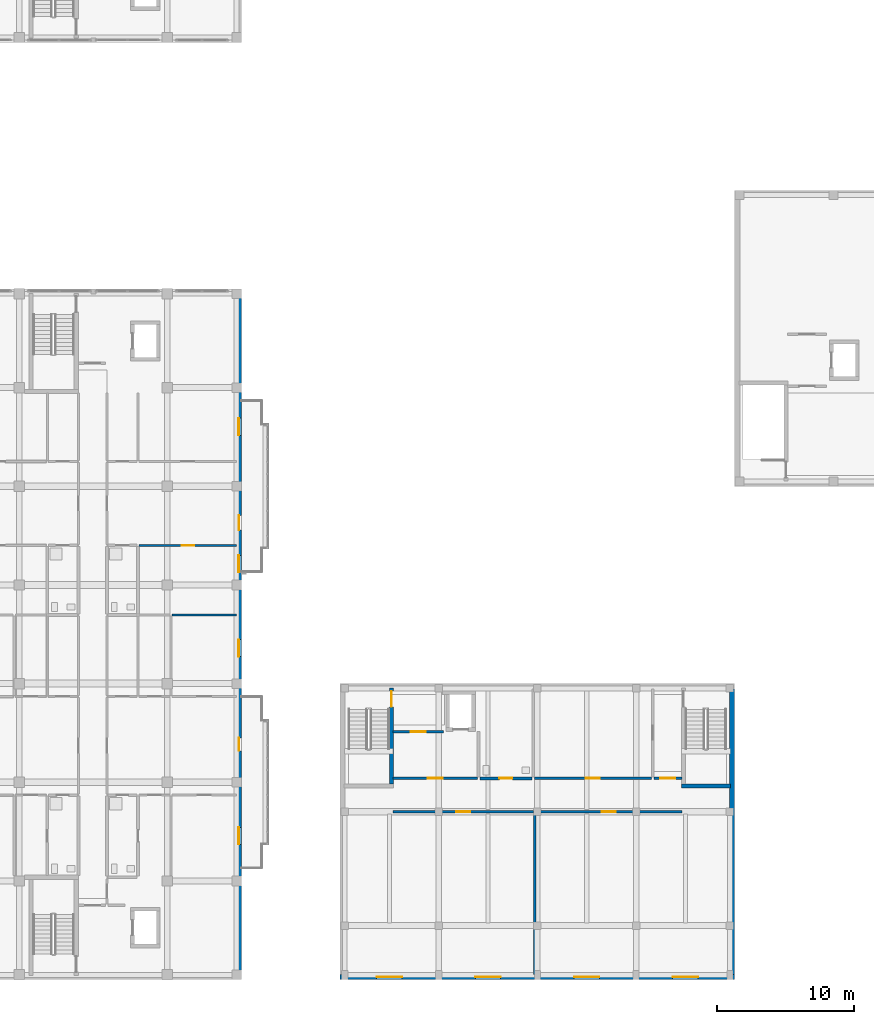
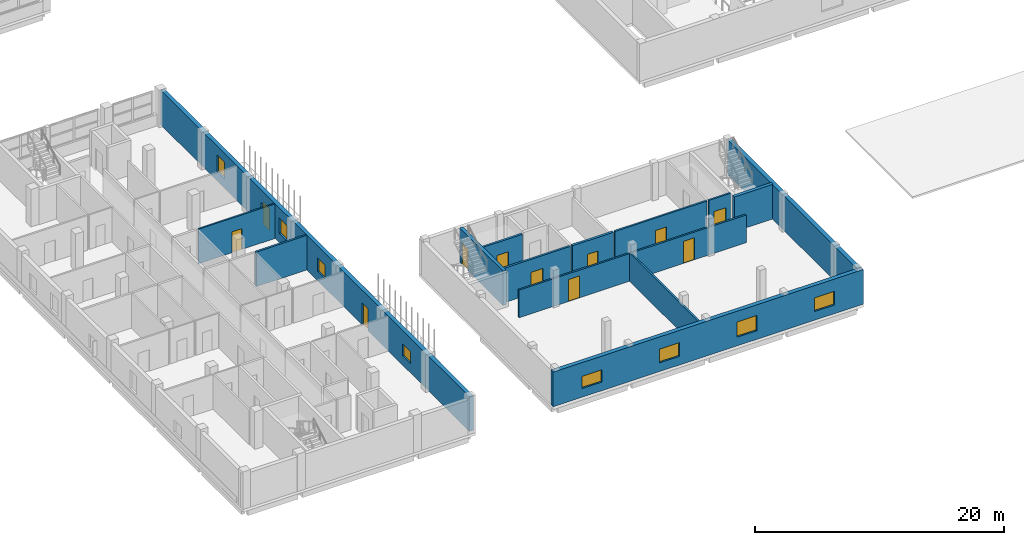
# One storey, part 36 of 73: 15 walls, 11 doors, 8 windows, 19 openings.
"""IFC4 building model written with IfcOpenShell, lengths in metres."""

from ifc_helpers import new_model, si_unit, derived_unit, direction, frame, frame_2d, origin, place, context, subcontext, project, spatial, rectangle, extrude, material, layer, layer_set, type_object, element, fill, save


model = new_model("IFC4")

# Units and contexts
model_context = context("Model", 3, precision=1e-05, world=origin(), true_north=direction((0.0, 1.0)))
body_context = subcontext(model_context, "Body", "Model", "MODEL_VIEW")
ifc_project = project(units=[si_unit("LENGTHUNIT", "METRE"), si_unit("AREAUNIT", "SQUARE_METRE"), si_unit("VOLUMEUNIT", "CUBIC_METRE"), si_unit("PLANEANGLEUNIT", "RADIAN"), si_unit("MASSUNIT", "GRAM", prefix="KILO"), derived_unit("THERMALTRANSMITTANCEUNIT", [(si_unit("MASSUNIT", "GRAM", prefix="KILO"), 1), (si_unit("TIMEUNIT", "SECOND"), -3), (si_unit("THERMODYNAMICTEMPERATUREUNIT", "KELVIN"), -1)])], contexts=[model_context])

# Site, building, storey
site_placement = place(None, origin())
site = spatial("IfcSite", under=ifc_project, at=site_placement, CompositionType="ELEMENT")
building_placement = place(site_placement, origin())
building = spatial("IfcBuilding", under=site, at=building_placement, Name="Ochrekiln Boulevard Commons", CompositionType="ELEMENT")
storey_placement = place(building_placement, frame((0.0, 0.0, 4.89990234375)))
storey = spatial("IfcBuildingStorey", under=building, at=storey_placement, Name="L01", CompositionType="ELEMENT", Elevation=4.89990234375)

# Wall, openings, windows
ifc_material_1 = material(Name="Desert ochre clinker brick masonry ASTM C216 Grade SW", Category="masonry")
ifc_layer_1 = layer(ifc_material_1, 0.3798828125)
ifc_layer_set_1 = layer_set([ifc_layer_1], Name="Desert ochre clinker brick masonry ASTM C216 Grade SW")
wall_type_1 = type_object("IfcWallType", Name="WL-EXT-ARC-380", PredefinedType="SOLIDWALL", material=ifc_layer_set_1)
wall_1_placement = place(storey_placement, frame((28.800048828125, 0.18994140625, 0.0), z_axis=(0.0, 0.0, 1.0), x_axis=(1.0, 0.0, 0.0)))
wall_1 = element("IfcWall", 1, at=wall_1_placement, inside=storey, type_object=wall_type_1, Name="West Boulevard Arcade L01 S Exterior Wall", PredefinedType="SOLIDWALL", context=body_context, shape_type="SweptSolid", body=[
    extrude(rectangle(XDim=28.800048828125, YDim=0.3798828125, at=frame_2d((14.39990234375, 0.0))), origin(), (0.0, 0.0, 1.0), 3.400146484375),
])
opening_1_placement = place(wall_1_placement, frame((2.675048828125, 0.0, 0.85009765625)))
opening_1 = element("IfcOpeningElement", 2, at=opening_1_placement, cuts=wall_1, Name="Opening W-41", PredefinedType="OPENING", context=body_context, shape_type="SweptSolid", body=[
    extrude(rectangle(XDim=1.85009765625, YDim=1.199951171875, at=frame_2d((0.925048828125, 0.60009765625))), frame((0.0, 0.199951171875, 0.0), z_axis=(0.0, -1.0, 0.0), x_axis=(1.0, 0.0, 0.0)), (0.0, 0.0, 1.0), 0.39990234375),
])
opening_2_placement = place(wall_1_placement, frame((9.875, 0.0, 0.85009765625)))
opening_2 = element("IfcOpeningElement", 3, at=opening_2_placement, cuts=wall_1, Name="Opening W-42", PredefinedType="OPENING", context=body_context, shape_type="SweptSolid", body=[
    extrude(rectangle(XDim=1.85009765625, YDim=1.35009765625, at=frame_2d((0.925048828125, 0.675048828125))), frame((0.0, 0.199951171875, 0.0), z_axis=(0.0, -1.0, 0.0), x_axis=(1.0, 0.0, 0.0)), (0.0, 0.0, 1.0), 0.39990234375),
])
opening_3_placement = place(wall_1_placement, frame((17.074951171875, 0.0, 0.85009765625)))
opening_3 = element("IfcOpeningElement", 4, at=opening_3_placement, cuts=wall_1, Name="Opening W-43", PredefinedType="OPENING", context=body_context, shape_type="SweptSolid", body=[
    extrude(rectangle(XDim=1.85009765625, YDim=1.5, at=frame_2d((0.925048828125, 0.75))), frame((0.0, 0.199951171875, 0.0), z_axis=(0.0, -1.0, 0.0), x_axis=(1.0, 0.0, 0.0)), (0.0, 0.0, 1.0), 0.39990234375),
])
opening_4_placement = place(wall_1_placement, frame((24.27490234375, 0.0, 0.85009765625)))
opening_4 = element("IfcOpeningElement", 5, at=opening_4_placement, cuts=wall_1, Name="Opening W-42", PredefinedType="OPENING", context=body_context, shape_type="SweptSolid", body=[
    extrude(rectangle(XDim=1.85009765625, YDim=1.35009765625, at=frame_2d((0.925048828125, 0.675048828125))), frame((0.0, 0.199951171875, 0.0), z_axis=(0.0, -1.0, 0.0), x_axis=(1.0, 0.0, 0.0)), (0.0, 0.0, 1.0), 0.39990234375),
])
ifc_material_2 = material(Name="Thermally broken aluminium-clad oak frame", Category="aluminium")
window_type_1 = type_object("IfcWindowType", Name="WIN-EXT-41", PartitioningType="DOUBLE_PANEL_VERTICAL", PredefinedType="WINDOW", material=ifc_material_2)
window_1_placement = place(opening_1_placement, origin())
window_1 = element("IfcWindow", 6, at=window_1_placement, inside=storey, type_object=window_type_1, Name="West Boulevard Arcade L01 Boulevard Ribbon Window 1", OverallHeight=1.199951171875, OverallWidth=1.85009765625, PartitioningType="DOUBLE_PANEL_VERTICAL", PredefinedType="WINDOW", context=body_context, shape_type="SweptSolid", body=[
    extrude(rectangle(XDim=1.85009765625, YDim=1.199951171875, at=frame_2d((0.925048828125, 0.60009765625))), frame((0.0, 0.030029296875, 0.0), z_axis=(0.0, -1.0, 0.0), x_axis=(1.0, 0.0, 0.0)), (0.0, 0.0, 1.0), 0.06005859375),
])
fill(opening_1, window_1)
window_type_2 = type_object("IfcWindowType", Name="WIN-EXT-42", PartitioningType="DOUBLE_PANEL_VERTICAL", PredefinedType="WINDOW", material=ifc_material_2)
window_2_placement = place(opening_2_placement, origin())
window_2 = element("IfcWindow", 7, at=window_2_placement, inside=storey, type_object=window_type_2, Name="West Boulevard Arcade L01 Boulevard Ribbon Window 2", OverallHeight=1.35009765625, OverallWidth=1.85009765625, PartitioningType="DOUBLE_PANEL_VERTICAL", PredefinedType="WINDOW", context=body_context, shape_type="SweptSolid", body=[
    extrude(rectangle(XDim=1.85009765625, YDim=1.35009765625, at=frame_2d((0.925048828125, 0.675048828125))), frame((0.0, 0.030029296875, 0.0), z_axis=(0.0, -1.0, 0.0), x_axis=(1.0, 0.0, 0.0)), (0.0, 0.0, 1.0), 0.06005859375),
])
fill(opening_2, window_2)
window_3_placement = place(opening_4_placement, origin())
window_3 = element("IfcWindow", 8, at=window_3_placement, inside=storey, type_object=window_type_2, Name="West Boulevard Arcade L01 Boulevard Ribbon Window 4", OverallHeight=1.35009765625, OverallWidth=1.85009765625, PartitioningType="DOUBLE_PANEL_VERTICAL", PredefinedType="WINDOW", context=body_context, shape_type="SweptSolid", body=[
    extrude(rectangle(XDim=1.85009765625, YDim=1.35009765625, at=frame_2d((0.925048828125, 0.675048828125))), frame((0.0, 0.030029296875, 0.0), z_axis=(0.0, -1.0, 0.0), x_axis=(1.0, 0.0, 0.0)), (0.0, 0.0, 1.0), 0.06005859375),
])
fill(opening_4, window_3)
window_type_3 = type_object("IfcWindowType", Name="WIN-EXT-43", PartitioningType="DOUBLE_PANEL_VERTICAL", PredefinedType="WINDOW", material=ifc_material_2)
window_4_placement = place(opening_3_placement, origin())
window_4 = element("IfcWindow", 9, at=window_4_placement, inside=storey, type_object=window_type_3, Name="West Boulevard Arcade L01 Boulevard Ribbon Window 3", OverallHeight=1.5, OverallWidth=1.85009765625, PartitioningType="DOUBLE_PANEL_VERTICAL", PredefinedType="WINDOW", context=body_context, shape_type="SweptSolid", body=[
    extrude(rectangle(XDim=1.85009765625, YDim=1.5, at=frame_2d((0.925048828125, 0.75))), frame((0.0, 0.030029296875, 0.0), z_axis=(0.0, -1.0, 0.0), x_axis=(1.0, 0.0, 0.0)), (0.0, 0.0, 1.0), 0.06005859375),
])
fill(opening_3, window_4)

# Wall
wall_2_placement = place(storey_placement, frame((57.409912109375, 0.3798828125, 0.0), z_axis=(0.0, 0.0, 1.0), x_axis=(0.0, 1.0, 0.0)))
element("IfcWall", 10, at=wall_2_placement, inside=storey, type_object=wall_type_1, Name="West Boulevard Arcade L01 E Exterior Wall", PredefinedType="SOLIDWALL", context=body_context, shape_type="SweptSolid", body=[
    extrude(rectangle(XDim=20.840087890625, YDim=0.3798828125, at=frame_2d((10.419921875, 0.0))), origin(), (0.0, 0.0, 1.0), 3.400146484375),
])

# Wall, openings, doors, windows
ifc_material_3 = material(Name="Iron-spot brown clinker brick masonry ASTM C216 Grade SW", Category="masonry")
ifc_layer_2 = layer(ifc_material_3, 0.364990234375)
ifc_layer_set_2 = layer_set([ifc_layer_2], Name="Iron-spot brown clinker brick masonry ASTM C216 Grade SW")
wall_type_2 = type_object("IfcWallType", Name="WL-EXT-IRON-365", PredefinedType="SOLIDWALL", material=ifc_layer_set_2)
wall_3_placement = place(storey_placement, frame((21.41748046875, 0.364990234375, 0.0), z_axis=(0.0, 0.0, 1.0), x_axis=(0.0, 1.0, 0.0)))
wall_3 = element("IfcWall", 11, at=wall_3_placement, inside=storey, type_object=wall_type_2, Name="Block D L01 E Exterior Wall", PredefinedType="SOLIDWALL", context=body_context, shape_type="SweptSolid", body=[
    extrude(rectangle(XDim=49.669921875, YDim=0.364990234375, at=frame_2d((24.8349609375, 0.0))), origin(), (0.0, 0.0, 1.0), 3.4150390625),
])
opening_5_placement = place(wall_3_placement, frame((16.3349609375, 0.0, 0.0)))
opening_5 = element("IfcOpeningElement", 12, at=opening_5_placement, cuts=wall_3, Name="Opening D-L01-BL039", PredefinedType="OPENING", context=body_context, shape_type="SweptSolid", body=[
    extrude(rectangle(XDim=0.949951171875, YDim=2.14990234375, at=frame_2d((0.47509765625, 1.074951171875))), frame((0.0, 0.1923828125, 0.0), z_axis=(0.0, -1.0, 0.0), x_axis=(1.0, 0.0, 0.0)), (0.0, 0.0, 1.0), 0.385009765625),
])
opening_6_placement = place(wall_3_placement, frame((9.501953125, 0.0, 0.89990234375)))
opening_6 = element("IfcOpeningElement", 13, at=opening_6_placement, cuts=wall_3, Name="Opening W-16", PredefinedType="OPENING", context=body_context, shape_type="SweptSolid", body=[
    extrude(rectangle(XDim=1.25, YDim=1.199951171875, at=frame_2d((0.625, 0.60009765625))), frame((0.0, 0.1923828125, 0.0), z_axis=(0.0, -1.0, 0.0), x_axis=(1.0, 0.0, 0.0)), (0.0, 0.0, 1.0), 0.385009765625),
])
opening_7_placement = place(wall_3_placement, frame((23.2041015625, 0.0, 0.89990234375)))
opening_7 = element("IfcOpeningElement", 14, at=opening_7_placement, cuts=wall_3, Name="Opening W-17", PredefinedType="OPENING", context=body_context, shape_type="SweptSolid", body=[
    extrude(rectangle(XDim=1.25, YDim=1.35009765625, at=frame_2d((0.625, 0.675048828125))), frame((0.0, 0.1923828125, 0.0), z_axis=(0.0, -1.0, 0.0), x_axis=(1.0, 0.0, 0.0)), (0.0, 0.0, 1.0), 0.385009765625),
])
opening_8_placement = place(wall_3_placement, frame((32.429931640625, 0.0, 0.0)))
opening_8 = element("IfcOpeningElement", 15, at=opening_8_placement, cuts=wall_3, Name="Opening D-L01-BL040", PredefinedType="OPENING", context=body_context, shape_type="SweptSolid", body=[
    extrude(rectangle(XDim=1.080078125, YDim=2.179931640625, at=frame_2d((0.5400390625, 1.08984375))), frame((0.0, 0.1923828125, 0.0), z_axis=(0.0, -1.0, 0.0), x_axis=(1.0, 0.0, 0.0)), (0.0, 0.0, 1.0), 0.385009765625),
])
opening_9_placement = place(wall_3_placement, frame((29.35009765625, 0.0, 0.89990234375)))
opening_9 = element("IfcOpeningElement", 16, at=opening_9_placement, cuts=wall_3, Name="Opening W-18", PredefinedType="OPENING", context=body_context, shape_type="SweptSolid", body=[
    extrude(rectangle(XDim=1.25, YDim=1.5, at=frame_2d((0.625, 0.75))), frame((0.0, 0.1923828125, 0.0), z_axis=(0.0, -1.0, 0.0), x_axis=(1.0, 0.0, 0.0)), (0.0, 0.0, 1.0), 0.385009765625),
])
opening_10_placement = place(wall_3_placement, frame((39.35400390625, 0.0, 0.89990234375)))
opening_10 = element("IfcOpeningElement", 17, at=opening_10_placement, cuts=wall_3, Name="Opening W-19", PredefinedType="OPENING", context=body_context, shape_type="SweptSolid", body=[
    extrude(rectangle(XDim=1.25, YDim=1.64990234375, at=frame_2d((0.625, 0.824951171875))), frame((0.0, 0.1923828125, 0.0), z_axis=(0.0, -1.0, 0.0), x_axis=(1.0, 0.0, 0.0)), (0.0, 0.0, 1.0), 0.385009765625),
])
door_type_1 = type_object("IfcDoorType", Name="DR-EXT-BAL-095", OperationType="NOTDEFINED", PredefinedType="DOOR", material=ifc_material_2)
door_1_placement = place(opening_5_placement, frame((0.949951171875, 0.0, 0.0), z_axis=(0.0, 0.0, 1.0), x_axis=(-1.0, 0.0, 0.0)))
door_1 = element("IfcDoor", 18, at=door_1_placement, inside=storey, type_object=door_type_1, Name="Block D L01 Glazed Balcony Patio Door", OperationType="SINGLE_SWING_RIGHT", OverallHeight=2.14990234375, OverallWidth=0.949951171875, PredefinedType="DOOR", context=body_context, shape_type="SweptSolid", body=[
    extrude(rectangle(XDim=0.949951171875, YDim=2.14990234375, at=frame_2d((0.47509765625, 1.074951171875))), frame((0.0, 0.02490234375, 0.0), z_axis=(0.0, -1.0, 0.0), x_axis=(1.0, 0.0, 0.0)), (0.0, 0.0, 1.0), 0.050048828125),
])
fill(opening_5, door_1)
door_type_2 = type_object("IfcDoorType", Name="DR-EXT-BAL-108", OperationType="NOTDEFINED", PredefinedType="DOOR", material=ifc_material_2)
door_2_placement = place(opening_8_placement, frame((1.080078125, 0.0, 0.0), z_axis=(0.0, 0.0, 1.0), x_axis=(-1.0, 0.0, 0.0)))
door_2 = element("IfcDoor", 19, at=door_2_placement, inside=storey, type_object=door_type_2, Name="Block D L01 Glazed Balcony Patio Door", OperationType="SINGLE_SWING_LEFT", OverallHeight=2.179931640625, OverallWidth=1.080078125, PredefinedType="DOOR", context=body_context, shape_type="SweptSolid", body=[
    extrude(rectangle(XDim=1.080078125, YDim=2.179931640625, at=frame_2d((0.5400390625, 1.08984375))), frame((0.0, 0.02490234375, 0.0), z_axis=(0.0, -1.0, 0.0), x_axis=(1.0, 0.0, 0.0)), (0.0, 0.0, 1.0), 0.050048828125),
])
fill(opening_8, door_2)
window_type_4 = type_object("IfcWindowType", Name="WIN-EXT-16", PartitioningType="SINGLE_PANEL", PredefinedType="WINDOW", material=ifc_material_2)
window_5_placement = place(opening_6_placement, origin())
window_5 = element("IfcWindow", 20, at=window_5_placement, inside=storey, type_object=window_type_4, Name="Block D L01 Punched Masonry Window W-16", OverallHeight=1.199951171875, OverallWidth=1.25, PartitioningType="SINGLE_PANEL", PredefinedType="WINDOW", context=body_context, shape_type="SweptSolid", body=[
    extrude(rectangle(XDim=1.25, YDim=1.199951171875, at=frame_2d((0.625, 0.60009765625))), frame((0.0, 0.030029296875, 0.0), z_axis=(0.0, -1.0, 0.0), x_axis=(1.0, 0.0, 0.0)), (0.0, 0.0, 1.0), 0.06005859375),
])
fill(opening_6, window_5)
window_type_5 = type_object("IfcWindowType", Name="WIN-EXT-17", PartitioningType="SINGLE_PANEL", PredefinedType="WINDOW", material=ifc_material_2)
window_6_placement = place(opening_7_placement, origin())
window_6 = element("IfcWindow", 21, at=window_6_placement, inside=storey, type_object=window_type_5, Name="Block D L01 Punched Masonry Window W-17", OverallHeight=1.35009765625, OverallWidth=1.25, PartitioningType="SINGLE_PANEL", PredefinedType="WINDOW", context=body_context, shape_type="SweptSolid", body=[
    extrude(rectangle(XDim=1.25, YDim=1.35009765625, at=frame_2d((0.625, 0.675048828125))), frame((0.0, 0.030029296875, 0.0), z_axis=(0.0, -1.0, 0.0), x_axis=(1.0, 0.0, 0.0)), (0.0, 0.0, 1.0), 0.06005859375),
])
fill(opening_7, window_6)
window_type_6 = type_object("IfcWindowType", Name="WIN-EXT-18", PartitioningType="SINGLE_PANEL", PredefinedType="WINDOW", material=ifc_material_2)
window_7_placement = place(opening_9_placement, origin())
window_7 = element("IfcWindow", 22, at=window_7_placement, inside=storey, type_object=window_type_6, Name="Block D L01 Punched Masonry Window W-18", OverallHeight=1.5, OverallWidth=1.25, PartitioningType="SINGLE_PANEL", PredefinedType="WINDOW", context=body_context, shape_type="SweptSolid", body=[
    extrude(rectangle(XDim=1.25, YDim=1.5, at=frame_2d((0.625, 0.75))), frame((0.0, 0.030029296875, 0.0), z_axis=(0.0, -1.0, 0.0), x_axis=(1.0, 0.0, 0.0)), (0.0, 0.0, 1.0), 0.06005859375),
])
fill(opening_9, window_7)
window_type_7 = type_object("IfcWindowType", Name="WIN-EXT-19", PartitioningType="SINGLE_PANEL", PredefinedType="WINDOW", material=ifc_material_2)
window_8_placement = place(opening_10_placement, origin())
window_8 = element("IfcWindow", 23, at=window_8_placement, inside=storey, type_object=window_type_7, Name="Block D L01 Punched Masonry Window W-19", OverallHeight=1.64990234375, OverallWidth=1.25, PartitioningType="SINGLE_PANEL", PredefinedType="WINDOW", context=body_context, shape_type="SweptSolid", body=[
    extrude(rectangle(XDim=1.25, YDim=1.64990234375, at=frame_2d((0.625, 0.824951171875))), frame((0.0, 0.030029296875, 0.0), z_axis=(0.0, -1.0, 0.0), x_axis=(1.0, 0.0, 0.0)), (0.0, 0.0, 1.0), 0.06005859375),
])
fill(opening_10, window_8)

# Wall, opening, door
ifc_material_4 = material(Name="Moisture-resistant cementitious tile backer wall")
ifc_layer_3 = layer(ifc_material_4, 0.219970703125)
ifc_layer_set_3 = layer_set([ifc_layer_3], Name="Moisture-resistant cementitious tile backer wall")
wall_type_3 = type_object("IfcWallType", Name="WL-PLM-220", PredefinedType="PLUMBINGWALL", material=ifc_layer_set_3)
wall_4_placement = place(storey_placement, frame((39.0, 14.68994140625, 0.0), z_axis=(0.0, 0.0, 1.0), x_axis=(1.0, 0.0, 0.0)))
wall_4 = element("IfcWall", 24, at=wall_4_placement, inside=storey, type_object=wall_type_3, Name="L01 Interior Wall W-PW220", PredefinedType="PLUMBINGWALL", context=body_context, shape_type="SweptSolid", body=[
    extrude(rectangle(XDim=3.800048828125, YDim=0.219970703125, at=frame_2d((1.89990234375, 0.0))), origin(), (0.0, 0.0, 1.0), 3.39013671875),
])
opening_11_placement = place(wall_4_placement, frame((1.419921875, 0.0, 0.0)))
opening_11 = element("IfcOpeningElement", 25, at=opening_11_placement, cuts=wall_4, Name="Opening D-L01-296", PredefinedType="OPENING", context=body_context, shape_type="SweptSolid", body=[
    extrude(rectangle(XDim=0.9599609375, YDim=2.050048828125, at=frame_2d((0.47998046875, 1.02490234375))), frame((0.0, 0.119873046875, 0.0), z_axis=(0.0, -1.0, 0.0), x_axis=(1.0, 0.0, 0.0)), (0.0, 0.0, 1.0), 0.239990234375),
])
ifc_material_5 = material(Name="Solid core architectural oak door leaf")
door_type_3 = type_object("IfcDoorType", Name="DR-INT-ADA-096", OperationType="NOTDEFINED", PredefinedType="DOOR", material=ifc_material_5)
door_3_placement = place(opening_11_placement, origin())
door_3 = element("IfcDoor", 26, at=door_3_placement, inside=storey, type_object=door_type_3, Name="L01 Interior Door to Studio Accessible Washroom and WC", OperationType="SINGLE_SWING_RIGHT", OverallHeight=2.050048828125, OverallWidth=0.9599609375, PredefinedType="DOOR", context=body_context, shape_type="SweptSolid", body=[
    extrude(rectangle(XDim=0.9599609375, YDim=2.050048828125, at=frame_2d((0.47998046875, 1.02490234375))), frame((0.0, 0.02490234375, 0.0), z_axis=(0.0, -1.0, 0.0), x_axis=(1.0, 0.0, 0.0)), (0.0, 0.0, 1.0), 0.050048828125),
])
fill(opening_11, door_3)

# Wall
ifc_material_6 = material(Name="Fire-rated Type X gypsum board on steel studs", Category="steel")
ifc_layer_4 = layer(ifc_material_6, 0.169921875)
ifc_layer_set_4 = layer_set([ifc_layer_4], Name="Fire-rated Type X gypsum board on steel studs")
wall_type_4 = type_object("IfcWallType", Name="WL-PT-CIV-170", PredefinedType="PARTITIONING", material=ifc_layer_set_4)
wall_5_placement = place(storey_placement, frame((43.0, 0.3798828125, 0.0), z_axis=(0.0, 0.0, 1.0), x_axis=(0.0, 1.0, 0.0)))
element("IfcWall", 27, at=wall_5_placement, inside=storey, type_object=wall_type_4, Name="L01 Interior Wall W-PV170", PredefinedType="PARTITIONING", context=body_context, shape_type="SweptSolid", body=[
    extrude(rectangle(XDim=11.7880859375, YDim=0.169921875, at=frame_2d((5.89404296875, 0.0))), origin(), (0.0, 0.0, 1.0), 2.77001953125),
])

# Wall, opening, door
ifc_layer_5 = layer(ifc_material_6, 0.1650390625)
ifc_layer_set_5 = layer_set([ifc_layer_5], Name="Fire-rated Type X gypsum board on steel studs")
wall_type_5 = type_object("IfcWallType", Name="WL-PT-CORR-165", PredefinedType="PARTITIONING", material=ifc_layer_set_5)
wall_6_placement = place(storey_placement, frame((51.699951171875, 14.68994140625, 0.0), z_axis=(0.0, 0.0, 1.0), x_axis=(1.0, 0.0, 0.0)))
wall_6 = element("IfcWall", 28, at=wall_6_placement, inside=storey, type_object=wall_type_5, Name="L01 Interior Wall W-PC165", PredefinedType="PARTITIONING", context=body_context, shape_type="SweptSolid", body=[
    extrude(rectangle(XDim=2.050048828125, YDim=0.1650390625, at=frame_2d((1.02490234375, 0.0))), origin(), (0.0, 0.0, 1.0), 3.39013671875),
])
opening_12_placement = place(wall_6_placement, frame((0.47509765625, 0.0, 0.0)))
opening_12 = element("IfcOpeningElement", 29, at=opening_12_placement, cuts=wall_6, Name="Opening D-L01-293", PredefinedType="OPENING", context=body_context, shape_type="SweptSolid", body=[
    extrude(rectangle(XDim=1.10009765625, YDim=2.1201171875, at=frame_2d((0.550048828125, 1.06005859375))), frame((0.0, 0.092529296875, 0.0), z_axis=(0.0, -1.0, 0.0), x_axis=(1.0, 0.0, 0.0)), (0.0, 0.0, 1.0), 0.18505859375),
])
ifc_material_7 = material(Name="Hollow metal fire-rated steel door assembly", Category="steel")
door_type_4 = type_object("IfcDoorType", Name="DR-LOBBY-60", OperationType="NOTDEFINED", PredefinedType="DOOR", material=ifc_material_7)
door_4_placement = place(opening_12_placement, origin())
door_4 = element("IfcDoor", 30, at=door_4_placement, inside=storey, type_object=door_type_4, Name="L01 Interior Door to Studio East Stair Corridor", OperationType="SINGLE_SWING_LEFT", OverallHeight=2.1201171875, OverallWidth=1.10009765625, PredefinedType="DOOR", context=body_context, shape_type="SweptSolid", body=[
    extrude(rectangle(XDim=1.10009765625, YDim=2.1201171875, at=frame_2d((0.550048828125, 1.06005859375))), frame((0.0, 0.02490234375, 0.0), z_axis=(0.0, -1.0, 0.0), x_axis=(1.0, 0.0, 0.0)), (0.0, 0.0, 1.0), 0.050048828125),
])
fill(opening_12, door_4)

wall_7_placement = place(storey_placement, frame((32.64990234375, 12.25, 0.0), z_axis=(0.0, 0.0, 1.0), x_axis=(1.0, 0.0, 0.0)))
wall_7 = element("IfcWall", 31, at=wall_7_placement, inside=storey, type_object=wall_type_5, Name="L01 Interior Wall W-PC165", PredefinedType="PARTITIONING", context=body_context, shape_type="SweptSolid", body=[
    extrude(rectangle(XDim=10.25, YDim=0.1650390625, at=frame_2d((5.125, 0.0))), origin(), (0.0, 0.0, 1.0), 2.72021484375),
])
opening_13_placement = place(wall_7_placement, frame((4.614990234375, 0.0, 0.0)))
opening_13 = element("IfcOpeningElement", 32, at=opening_13_placement, cuts=wall_7, Name="Opening D-L01-294", PredefinedType="OPENING", context=body_context, shape_type="SweptSolid", body=[
    extrude(rectangle(XDim=1.02001953125, YDim=2.159912109375, at=frame_2d((0.510009765625, 1.080078125))), frame((0.0, 0.092529296875, 0.0), z_axis=(0.0, -1.0, 0.0), x_axis=(1.0, 0.0, 0.0)), (0.0, 0.0, 1.0), 0.18505859375),
])
door_type_5 = type_object("IfcDoorType", Name="DR-INT-CIV-102", OperationType="NOTDEFINED", PredefinedType="DOOR", material=ifc_material_5)
door_5_placement = place(opening_13_placement, frame((1.02001953125, 0.0, 0.0), z_axis=(0.0, 0.0, 1.0), x_axis=(-1.0, 0.0, 0.0)))
door_5 = element("IfcDoor", 33, at=door_5_placement, inside=storey, type_object=door_type_5, Name="L01 Interior Door to Live-Work Craft Atelier 1", OperationType="SINGLE_SWING_RIGHT", OverallHeight=2.159912109375, OverallWidth=1.02001953125, PredefinedType="DOOR", context=body_context, shape_type="SweptSolid", body=[
    extrude(rectangle(XDim=1.02001953125, YDim=2.159912109375, at=frame_2d((0.510009765625, 1.080078125))), frame((0.0, 0.02490234375, 0.0), z_axis=(0.0, -1.0, 0.0), x_axis=(1.0, 0.0, 0.0)), (0.0, 0.0, 1.0), 0.050048828125),
])
fill(opening_13, door_5)

wall_8_placement = place(storey_placement, frame((43.10009765625, 12.25, 0.0), z_axis=(0.0, 0.0, 1.0), x_axis=(1.0, 0.0, 0.0)))
wall_8 = element("IfcWall", 34, at=wall_8_placement, inside=storey, type_object=wall_type_5, Name="L01 Interior Wall W-PC165", PredefinedType="PARTITIONING", context=body_context, shape_type="SweptSolid", body=[
    extrude(rectangle(XDim=10.64990234375, YDim=0.1650390625, at=frame_2d((5.324951171875, 0.0))), origin(), (0.0, 0.0, 1.0), 2.72021484375),
])
opening_14_placement = place(wall_8_placement, frame((4.81494140625, 0.0, 0.0)))
opening_14 = element("IfcOpeningElement", 35, at=opening_14_placement, cuts=wall_8, Name="Opening D-L01-295", PredefinedType="OPENING", context=body_context, shape_type="SweptSolid", body=[
    extrude(rectangle(XDim=1.02001953125, YDim=2.159912109375, at=frame_2d((0.510009765625, 1.080078125))), frame((0.0, 0.092529296875, 0.0), z_axis=(0.0, -1.0, 0.0), x_axis=(1.0, 0.0, 0.0)), (0.0, 0.0, 1.0), 0.18505859375),
])
door_6_placement = place(opening_14_placement, frame((1.02001953125, 0.0, 0.0), z_axis=(0.0, 0.0, 1.0), x_axis=(-1.0, 0.0, 0.0)))
door_6 = element("IfcDoor", 36, at=door_6_placement, inside=storey, type_object=door_type_5, Name="L01 Interior Door to Live-Work Craft Atelier 2", OperationType="SINGLE_SWING_LEFT", OverallHeight=2.159912109375, OverallWidth=1.02001953125, PredefinedType="DOOR", context=body_context, shape_type="SweptSolid", body=[
    extrude(rectangle(XDim=1.02001953125, YDim=2.159912109375, at=frame_2d((0.510009765625, 1.080078125))), frame((0.0, 0.02490234375, 0.0), z_axis=(0.0, -1.0, 0.0), x_axis=(1.0, 0.0, 0.0)), (0.0, 0.0, 1.0), 0.050048828125),
])
fill(opening_14, door_6)

wall_9_placement = place(storey_placement, frame((42.97998046875, 14.68994140625, 0.0), z_axis=(0.0, 0.0, 1.0), x_axis=(1.0, 0.0, 0.0)))
wall_9 = element("IfcWall", 37, at=wall_9_placement, inside=storey, type_object=wall_type_5, Name="L01 Interior Wall W-PC165", PredefinedType="PARTITIONING", context=body_context, shape_type="SweptSolid", body=[
    extrude(rectangle(XDim=8.5400390625, YDim=0.1650390625, at=frame_2d((4.27001953125, 0.0))), origin(), (0.0, 0.0, 1.0), 3.39013671875),
])
opening_15_placement = place(wall_9_placement, frame((3.760009765625, 0.0, 0.0)))
opening_15 = element("IfcOpeningElement", 38, at=opening_15_placement, cuts=wall_9, Name="Opening D-L01-297", PredefinedType="OPENING", context=body_context, shape_type="SweptSolid", body=[
    extrude(rectangle(XDim=1.02001953125, YDim=2.159912109375, at=frame_2d((0.510009765625, 1.080078125))), frame((0.0, 0.092529296875, 0.0), z_axis=(0.0, -1.0, 0.0), x_axis=(1.0, 0.0, 0.0)), (0.0, 0.0, 1.0), 0.18505859375),
])
door_7_placement = place(opening_15_placement, origin())
door_7 = element("IfcDoor", 39, at=door_7_placement, inside=storey, type_object=door_type_5, Name="L01 Interior Door to Community Craft Room", OperationType="SINGLE_SWING_LEFT", OverallHeight=2.159912109375, OverallWidth=1.02001953125, PredefinedType="DOOR", context=body_context, shape_type="SweptSolid", body=[
    extrude(rectangle(XDim=1.02001953125, YDim=2.159912109375, at=frame_2d((0.510009765625, 1.080078125))), frame((0.0, 0.02490234375, 0.0), z_axis=(0.0, -1.0, 0.0), x_axis=(1.0, 0.0, 0.0)), (0.0, 0.0, 1.0), 0.050048828125),
])
fill(opening_15, door_7)

# Wall
ifc_layer_6 = layer(ifc_material_6, 0.179931640625)
ifc_layer_set_6 = layer_set([ifc_layer_6], Name="Fire-rated Type X gypsum board on steel studs")
wall_type_6 = type_object("IfcWallType", Name="WL-PT-DEM-180", PredefinedType="PARTITIONING", material=ifc_layer_set_6)
wall_10_placement = place(storey_placement, frame((16.544921875, 26.60791015625, 0.0), z_axis=(0.0, 0.0, 1.0), x_axis=(1.0, 0.0, 0.0)))
element("IfcWall", 40, at=wall_10_placement, inside=storey, type_object=wall_type_6, Name="L01 Interior Wall W-PD180", PredefinedType="PARTITIONING", context=body_context, shape_type="SweptSolid", body=[
    extrude(rectangle(XDim=4.705078125, YDim=0.179931640625, at=frame_2d((2.3525390625, 0.0))), origin(), (0.0, 0.0, 1.0), 3.39501953125),
])

# Wall, opening, door
ifc_layer_7 = layer(ifc_material_6, 0.18994140625)
ifc_layer_set_7 = layer_set([ifc_layer_7], Name="Fire-rated Type X gypsum board on steel studs")
wall_type_7 = type_object("IfcWallType", Name="WL-PT-LBY-190", PredefinedType="PARTITIONING", material=ifc_layer_set_7)
wall_11_placement = place(storey_placement, frame((32.64990234375, 18.090087890625, 0.0), z_axis=(0.0, 0.0, 1.0), x_axis=(1.0, 0.0, 0.0)))
wall_11 = element("IfcWall", 41, at=wall_11_placement, inside=storey, type_object=wall_type_7, Name="L01 Interior Wall W-PL190", PredefinedType="PARTITIONING", context=body_context, shape_type="SweptSolid", body=[
    extrude(rectangle(XDim=3.7001953125, YDim=0.18994140625, at=frame_2d((1.85009765625, 0.0))), origin(), (0.0, 0.0, 1.0), 3.39013671875),
])
opening_16_placement = place(wall_11_placement, frame((1.300048828125, 0.0, 0.0)))
opening_16 = element("IfcOpeningElement", 42, at=opening_16_placement, cuts=wall_11, Name="Opening D-L01-291", PredefinedType="OPENING", context=body_context, shape_type="SweptSolid", body=[
    extrude(rectangle(XDim=1.10009765625, YDim=2.1201171875, at=frame_2d((0.550048828125, 1.06005859375))), frame((0.0, 0.10498046875, 0.0), z_axis=(0.0, -1.0, 0.0), x_axis=(1.0, 0.0, 0.0)), (0.0, 0.0, 1.0), 0.2099609375),
])
door_8_placement = place(opening_16_placement, frame((1.10009765625, 0.0, 0.0), z_axis=(0.0, 0.0, 1.0), x_axis=(-1.0, 0.0, 0.0)))
door_8 = element("IfcDoor", 43, at=door_8_placement, inside=storey, type_object=door_type_4, Name="L01 Interior Door to Passenger Elevator Lobby", OperationType="SINGLE_SWING_LEFT", OverallHeight=2.1201171875, OverallWidth=1.10009765625, PredefinedType="DOOR", context=body_context, shape_type="SweptSolid", body=[
    extrude(rectangle(XDim=1.10009765625, YDim=2.1201171875, at=frame_2d((0.550048828125, 1.06005859375))), frame((0.0, 0.02490234375, 0.0), z_axis=(0.0, -1.0, 0.0), x_axis=(1.0, 0.0, 0.0)), (0.0, 0.0, 1.0), 0.050048828125),
])
fill(opening_16, door_8)

wall_12_placement = place(storey_placement, frame((32.64990234375, 14.68994140625, 0.0), z_axis=(0.0, 0.0, 1.0), x_axis=(1.0, 0.0, 0.0)))
wall_12 = element("IfcWall", 44, at=wall_12_placement, inside=storey, type_object=wall_type_7, Name="L01 Interior Wall W-PL190", PredefinedType="PARTITIONING", context=body_context, shape_type="SweptSolid", body=[
    extrude(rectangle(XDim=6.170166015625, YDim=0.18994140625, at=frame_2d((3.0849609375, 0.0))), origin(), (0.0, 0.0, 1.0), 3.39013671875),
])
opening_17_placement = place(wall_12_placement, frame((2.534912109375, 0.0, 0.0)))
opening_17 = element("IfcOpeningElement", 45, at=opening_17_placement, cuts=wall_12, Name="Opening D-L01-292", PredefinedType="OPENING", context=body_context, shape_type="SweptSolid", body=[
    extrude(rectangle(XDim=1.10009765625, YDim=2.1201171875, at=frame_2d((0.550048828125, 1.06005859375))), frame((0.0, 0.10498046875, 0.0), z_axis=(0.0, -1.0, 0.0), x_axis=(1.0, 0.0, 0.0)), (0.0, 0.0, 1.0), 0.2099609375),
])
door_9_placement = place(opening_17_placement, origin())
door_9 = element("IfcDoor", 46, at=door_9_placement, inside=storey, type_object=door_type_4, Name="L01 Interior Door to Passenger Elevator Lobby", OperationType="SINGLE_SWING_RIGHT", OverallHeight=2.1201171875, OverallWidth=1.10009765625, PredefinedType="DOOR", context=body_context, shape_type="SweptSolid", body=[
    extrude(rectangle(XDim=1.10009765625, YDim=2.1201171875, at=frame_2d((0.550048828125, 1.06005859375))), frame((0.0, 0.02490234375, 0.0), z_axis=(0.0, -1.0, 0.0), x_axis=(1.0, 0.0, 0.0)), (0.0, 0.0, 1.0), 0.050048828125),
])
fill(opening_17, door_9)

ifc_layer_8 = layer(ifc_material_6, 0.14990234375)
ifc_layer_set_8 = layer_set([ifc_layer_8], Name="Fire-rated Type X gypsum board on steel studs")
wall_type_8 = type_object("IfcWallType", Name="WL-PT-STD-150", PredefinedType="PARTITIONING", material=ifc_layer_set_8)
wall_13_placement = place(storey_placement, frame((14.139892578125, 31.68994140625, 0.0), z_axis=(0.0, 0.0, 1.0), x_axis=(1.0, 0.0, 0.0)))
wall_13 = element("IfcWall", 47, at=wall_13_placement, inside=storey, type_object=wall_type_8, Name="L01 Interior Wall W-PS150", PredefinedType="PARTITIONING", context=body_context, shape_type="SweptSolid", body=[
    extrude(rectangle(XDim=7.110107421875, YDim=0.14990234375, at=frame_2d((3.55517578125, 0.0))), origin(), (0.0, 0.0, 1.0), 3.39501953125),
])
opening_18_placement = place(wall_13_placement, frame((3.10498046875, 0.0, 0.0)))
opening_18 = element("IfcOpeningElement", 48, at=opening_18_placement, cuts=wall_13, Name="Opening D-L01-268", PredefinedType="OPENING", context=body_context, shape_type="SweptSolid", body=[
    extrude(rectangle(XDim=0.89990234375, YDim=2.0400390625, at=frame_2d((0.449951171875, 1.02001953125))), frame((0.0, 0.0849609375, 0.0), z_axis=(0.0, -1.0, 0.0), x_axis=(1.0, 0.0, 0.0)), (0.0, 0.0, 1.0), 0.169921875),
])
door_type_6 = type_object("IfcDoorType", Name="DR-INT-BED-090", OperationType="NOTDEFINED", PredefinedType="DOOR", material=ifc_material_5)
door_10_placement = place(opening_18_placement, frame((0.89990234375, 0.0, 0.0), z_axis=(0.0, 0.0, 1.0), x_axis=(-1.0, 0.0, 0.0)))
door_10 = element("IfcDoor", 49, at=door_10_placement, inside=storey, type_object=door_type_6, Name="L01 Interior Door to Primary Apartment Bedroom", OperationType="SINGLE_SWING_RIGHT", OverallHeight=2.0400390625, OverallWidth=0.89990234375, PredefinedType="DOOR", context=body_context, shape_type="SweptSolid", body=[
    extrude(rectangle(XDim=0.89990234375, YDim=2.0400390625, at=frame_2d((0.449951171875, 1.02001953125))), frame((0.0, 0.02490234375, 0.0), z_axis=(0.0, -1.0, 0.0), x_axis=(1.0, 0.0, 0.0)), (0.0, 0.0, 1.0), 0.050048828125),
])
fill(opening_18, door_10)

ifc_material_8 = material(Name="Concrete C40/50", Category="concrete")
ifc_layer_9 = layer(ifc_material_8, 0.300048828125)
ifc_layer_set_9 = layer_set([ifc_layer_9], Name="Concrete C40/50")
wall_type_9 = type_object("IfcWallType", Name="WL-SH-300", PredefinedType="SHEAR", material=ifc_layer_set_9)
wall_14_placement = place(storey_placement, frame((32.550048828125, 14.280029296875, 0.0), z_axis=(0.0, 0.0, 1.0), x_axis=(0.0, 1.0, 0.0)))
wall_14 = element("IfcWall", 50, at=wall_14_placement, inside=storey, type_object=wall_type_9, Name="Stair ST-W1 L01 Core Shear Wall E", PredefinedType="SHEAR", context=body_context, shape_type="SweptSolid", body=[
    extrude(rectangle(XDim=7.0, YDim=0.300048828125, at=frame_2d((3.5, 0.0))), origin(), (0.0, 0.0, 1.0), 3.400146484375),
])
opening_19_placement = place(wall_14_placement, frame((5.625, 0.0, 0.0)))
opening_19 = element("IfcOpeningElement", 51, at=opening_19_placement, cuts=wall_14, Name="Opening D-L01-ST-W1", PredefinedType="OPENING", context=body_context, shape_type="SweptSolid", body=[
    extrude(rectangle(XDim=1.14990234375, YDim=2.1201171875, at=frame_2d((0.574951171875, 1.06005859375))), frame((0.0, 0.159912109375, 0.0), z_axis=(0.0, -1.0, 0.0), x_axis=(1.0, 0.0, 0.0)), (0.0, 0.0, 1.0), 0.320068359375),
])
door_type_7 = type_object("IfcDoorType", Name="DR-STAIR-90", OperationType="NOTDEFINED", PredefinedType="DOOR", material=ifc_material_7)
door_11_placement = place(opening_19_placement, origin())
door_11 = element("IfcDoor", 52, at=door_11_placement, inside=storey, type_object=door_type_7, Name="Enclosed Exit Stair ST-W1 L01 Rated Door", OperationType="SINGLE_SWING_RIGHT", OverallHeight=2.1201171875, OverallWidth=1.14990234375, PredefinedType="DOOR", context=body_context, shape_type="SweptSolid", body=[
    extrude(rectangle(XDim=1.14990234375, YDim=2.1201171875, at=frame_2d((0.574951171875, 1.06005859375))), frame((0.0, 0.02490234375, 0.0), z_axis=(0.0, -1.0, 0.0), x_axis=(1.0, 0.0, 0.0)), (0.0, 0.0, 1.0), 0.050048828125),
])
fill(opening_19, door_11)

# Wall
wall_15_placement = place(storey_placement, frame((53.699951171875, 14.1298828125, 0.0), z_axis=(0.0, 0.0, 1.0), x_axis=(1.0, 0.0, 0.0)))
element("IfcWall", 53, at=wall_15_placement, inside=storey, type_object=wall_type_9, Name="Stair ST-W2 L01 Core Shear Wall S", PredefinedType="SHEAR", context=body_context, shape_type="SweptSolid", body=[
    extrude(rectangle(XDim=3.60009765625, YDim=0.300048828125, at=frame_2d((1.800048828125, 0.0))), origin(), (0.0, 0.0, 1.0), 3.400146484375),
])

save(model, "model.ifc")
